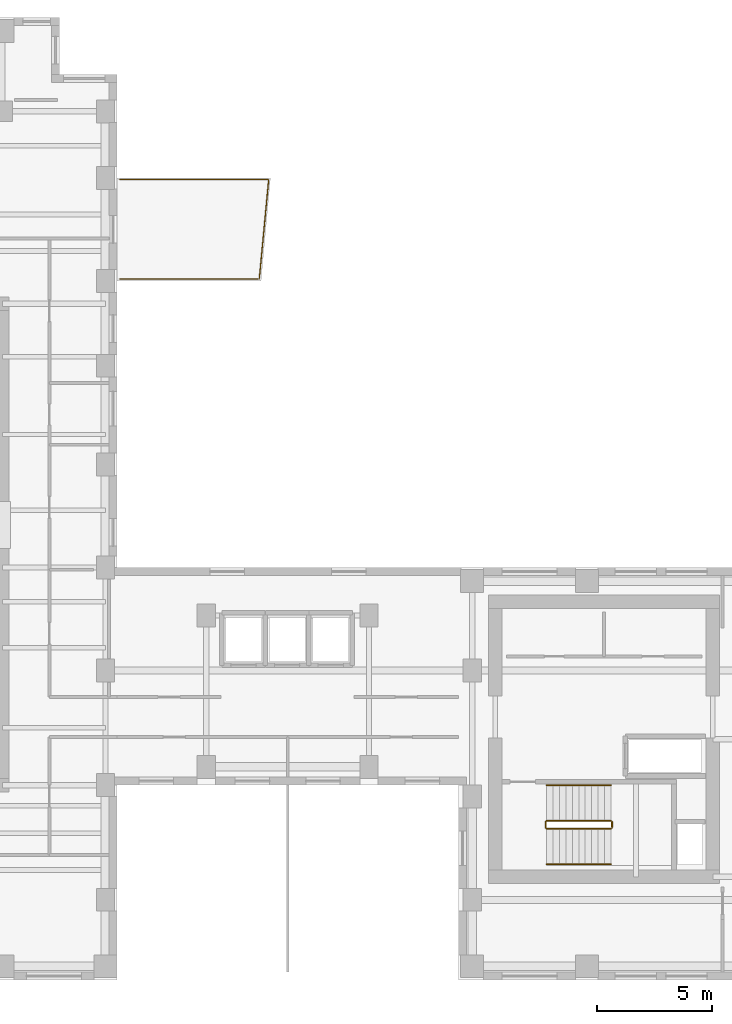
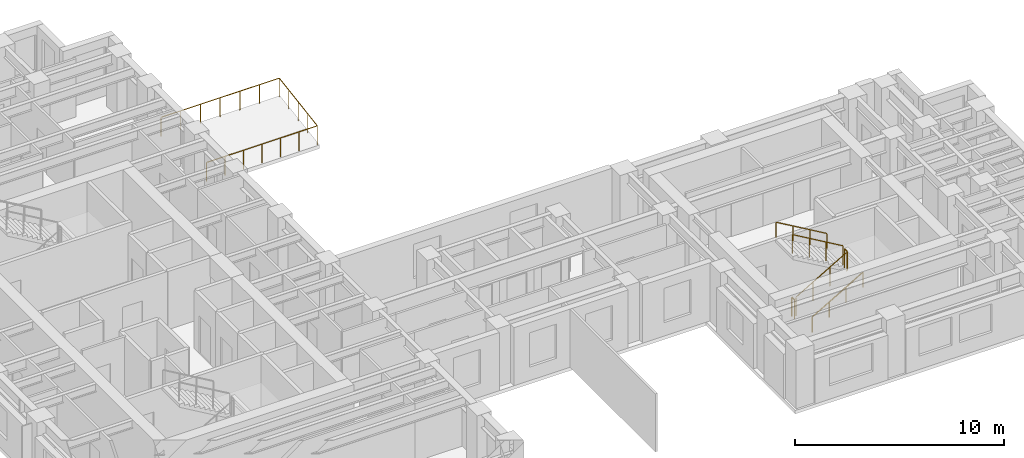
# One storey, part 11 of 11: 7 railings.
"""IFC4 building model written with IfcOpenShell, lengths in metres."""

from ifc_helpers import new_model, si_unit, direction, frame, origin, origin_2d, place, context, subcontext, project, spatial, circle, extrude, source, transform, mapped, material, layer, layer_set, type_object, element, save


model = new_model("IFC4")

# Units and contexts
model_context = context("Model", 3, precision=1e-05, world=origin(), true_north=direction((0.0, 1.0)))
body_context = subcontext(model_context, "Body", "Model", "MODEL_VIEW")
ifc_project = project(units=[si_unit("LENGTHUNIT", "METRE"), si_unit("AREAUNIT", "SQUARE_METRE"), si_unit("VOLUMEUNIT", "CUBIC_METRE"), si_unit("PLANEANGLEUNIT", "RADIAN"), si_unit("MASSUNIT", "GRAM", prefix="KILO")], contexts=[model_context])

# Site, building, storey
site_placement = place(None, origin())
site = spatial("IfcSite", under=ifc_project, at=site_placement, CompositionType="ELEMENT")
building_placement = place(site_placement, origin())
building = spatial("IfcBuilding", under=site, at=building_placement, Name="Kharzan Plaza Tower", CompositionType="ELEMENT")
storey_placement = place(building_placement, frame((0.0, 0.0, 171.89990234375)))
storey = spatial("IfcBuildingStorey", under=building, at=storey_placement, Name="L46", CompositionType="ELEMENT", Elevation=171.89990234375)

# Railings
ifc_material_1 = material(Name="Painted Galvanized Architectural Steel", Category="steel")
ifc_layer_1 = layer(ifc_material_1, 0.074951171875)
ifc_layer_set_1 = layer_set([ifc_layer_1], Name="Painted Galvanized Architectural Steel")
railing_type_1 = type_object("IfcRailingType", Name="RL-GUARD-1120", PredefinedType="BALUSTRADE", material=ifc_layer_set_1)
shared_shape_1 = source(origin(), body_context, "Body", "SweptSolid", [
    extrude(circle(Radius=0.02392578125, at=origin_2d()), frame((0.0, 0.0263671875, 1.09619140625), z_axis=(0.0, 1.0, 0.0), x_axis=(-1.0, 0.0, 0.0)), (0.0, 0.0, 1.0), 0.197021484375),
    extrude(circle(Radius=0.02099609375, at=origin_2d()), origin(), (0.0, 0.0, 1.0), 1.072021484375),
    extrude(circle(Radius=0.02099609375, at=origin_2d()), frame((0.0, 0.25, 0.0)), (0.0, 0.0, 1.0), 1.072021484375),
])
for number, where, name in (
    (1, (41.10009765625, 6.64990234375, 1.800048828125), "L46 ST-3 stair guard 2"),
    (2, (38.199951171875, 6.64990234375, 0.0), "L46 ST-3 stair guard 4"),
):
    element("IfcRailing", number, at=place(storey_placement, frame(where)), inside=storey, type_object=railing_type_1, Name=name, PredefinedType="BALUSTRADE", context=body_context, shape_type="MappedRepresentation", body=[
        mapped(shared_shape_1, transform((0.0, 0.0, 0.0), x_axis=(1.0, 0.0, 0.0), y_axis=(0.0, 1.0, 0.0), z_axis=(0.0, 0.0, 1.0))),
    ])
shared_shape_2 = source(origin(), body_context, "Body", "SweptSolid", [
    extrude(circle(Radius=0.02392578125, at=origin_2d()), frame((-0.02294921875, 0.0, 1.109375), z_axis=(-0.863360870873, 0.0, 0.504586966384), x_axis=(0.0, -1.0, 0.0)), (0.0, 0.0, 1.0), 3.190185546875),
    extrude(circle(Radius=0.02099609375, at=origin_2d()), origin(), (0.0, 0.0, 1.0), 1.072021484375),
    extrude(circle(Radius=0.02099609375, at=origin_2d()), frame((-0.933349609375, 0.0, 0.54541015625)), (0.0, 0.0, 1.0), 1.072021484375),
    extrude(circle(Radius=0.02099609375, at=origin_2d()), frame((-1.86669921875, 0.0, 1.091064453125)), (0.0, 0.0, 1.0), 1.072021484375),
    extrude(circle(Radius=0.02099609375, at=origin_2d()), frame((-2.800048828125, 0.0, 1.636474609375)), (0.0, 0.0, 1.0), 1.072021484375),
])
railing_1_placement = place(storey_placement, frame((41.050048828125, 6.949951171875, 1.963623046875)))
element("IfcRailing", 3, at=railing_1_placement, inside=storey, type_object=railing_type_1, Name="L46 ST-3 stair guard 3", PredefinedType="BALUSTRADE", context=body_context, shape_type="MappedRepresentation", body=[
    mapped(shared_shape_2, transform((0.0, 0.0, 0.0), x_axis=(1.0, 0.0, 0.0), y_axis=(0.0, 1.0, 0.0), z_axis=(0.0, 0.0, 1.0))),
])
ifc_material_2 = material(Name="Brushed Stainless Steel", Category="steel")
ifc_layer_2 = layer(ifc_material_2, 0.050048828125)
ifc_layer_set_2 = layer_set([ifc_layer_2], Name="Brushed Stainless Steel")
railing_type_2 = type_object("IfcRailingType", Name="RL-STAIR-HR920", PredefinedType="HANDRAIL", material=ifc_layer_set_2)
shared_shape_3 = source(origin(), body_context, "Body", "SweptSolid", [
    extrude(circle(Radius=0.02392578125, at=origin_2d()), frame((-0.02294921875, 0.0, 0.88916015625), z_axis=(-0.863360870873, 0.0, 0.504586966384), x_axis=(0.0, -1.0, 0.0)), (0.0, 0.0, 1.0), 3.190185546875),
    extrude(circle(Radius=0.02099609375, at=origin_2d()), origin(), (0.0, 0.0, 1.0), 0.851806640625),
    extrude(circle(Radius=0.02099609375, at=origin_2d()), frame((-0.933349609375, 0.0, 0.54541015625)), (0.0, 0.0, 1.0), 0.851806640625),
    extrude(circle(Radius=0.02099609375, at=origin_2d()), frame((-1.86669921875, 0.0, 1.091064453125)), (0.0, 0.0, 1.0), 0.851806640625),
    extrude(circle(Radius=0.02099609375, at=origin_2d()), frame((-2.800048828125, 0.0, 1.636474609375)), (0.0, 0.0, 1.0), 0.851806640625),
])
railing_2_placement = place(storey_placement, frame((41.050048828125, 8.5, 1.963623046875)))
element("IfcRailing", 4, at=railing_2_placement, inside=storey, type_object=railing_type_2, Name="L46 ST-3 stair handrail 2", PredefinedType="HANDRAIL", context=body_context, shape_type="MappedRepresentation", body=[
    mapped(shared_shape_3, transform((0.0, 0.0, 0.0), x_axis=(1.0, 0.0, 0.0), y_axis=(0.0, 1.0, 0.0), z_axis=(0.0, 0.0, 1.0))),
])
shared_shape_4 = source(origin(), body_context, "Body", "SweptSolid", [
    extrude(circle(Radius=0.02392578125, at=origin_2d()), frame((0.0263671875, 0.0, 1.09619140625), z_axis=(1.0, 0.0, 0.0), x_axis=(0.0, 1.0, 0.0)), (0.0, 0.0, 1.0), 6.056884765625),
    extrude(circle(Radius=0.02392578125, at=origin_2d()), frame((6.1123046875, 0.0263671875, 1.09619140625), z_axis=(0.094090176669, 0.995563678855, 0.0), x_axis=(-0.995563678855, 0.094090176669, 0.0)), (0.0, 0.0, 1.0), 4.306396484375),
    extrude(circle(Radius=0.02392578125, at=origin_2d()), frame((6.49365234375, 4.33984375, 1.09619140625), z_axis=(-1.0, 0.0, 0.0), x_axis=(0.0, -1.0, 0.0)), (0.0, 0.0, 1.0), 6.467041015625),
    extrude(circle(Radius=0.02099609375, at=origin_2d()), origin(), (0.0, 0.0, 1.0), 1.072021484375),
    extrude(circle(Radius=0.02099609375, at=origin_2d()), frame((1.018310546875, 0.0, 0.0)), (0.0, 0.0, 1.0), 1.072021484375),
    extrude(circle(Radius=0.02099609375, at=origin_2d()), frame((2.03662109375, 0.0, 0.0)), (0.0, 0.0, 1.0), 1.072021484375),
    extrude(circle(Radius=0.02099609375, at=origin_2d()), frame((3.054931640625, 0.0, 0.0)), (0.0, 0.0, 1.0), 1.072021484375),
    extrude(circle(Radius=0.02099609375, at=origin_2d()), frame((4.0732421875, 0.0, 0.0)), (0.0, 0.0, 1.0), 1.072021484375),
    extrude(circle(Radius=0.02099609375, at=origin_2d()), frame((5.091552734375, 0.0, 0.0)), (0.0, 0.0, 1.0), 1.072021484375),
    extrude(circle(Radius=0.02099609375, at=origin_2d()), frame((6.10986328125, 0.0, 0.0)), (0.0, 0.0, 1.0), 1.072021484375),
    extrude(circle(Radius=0.02099609375, at=origin_2d()), frame((6.21240234375, 1.0849609375, 0.0)), (0.0, 0.0, 1.0), 1.072021484375),
    extrude(circle(Radius=0.02099609375, at=origin_2d()), frame((6.31494140625, 2.169921875, 0.0)), (0.0, 0.0, 1.0), 1.072021484375),
    extrude(circle(Radius=0.02099609375, at=origin_2d()), frame((6.41748046875, 3.2548828125, 0.0)), (0.0, 0.0, 1.0), 1.072021484375),
    extrude(circle(Radius=0.02099609375, at=origin_2d()), frame((6.52001953125, 4.33984375, 0.0)), (0.0, 0.0, 1.0), 1.072021484375),
    extrude(circle(Radius=0.02099609375, at=origin_2d()), frame((5.433349609375, 4.33984375, 0.0)), (0.0, 0.0, 1.0), 1.072021484375),
    extrude(circle(Radius=0.02099609375, at=origin_2d()), frame((4.3466796875, 4.33984375, 0.0)), (0.0, 0.0, 1.0), 1.072021484375),
    extrude(circle(Radius=0.02099609375, at=origin_2d()), frame((3.260009765625, 4.33984375, 0.0)), (0.0, 0.0, 1.0), 1.072021484375),
    extrude(circle(Radius=0.02099609375, at=origin_2d()), frame((2.17333984375, 4.33984375, 0.0)), (0.0, 0.0, 1.0), 1.072021484375),
    extrude(circle(Radius=0.02099609375, at=origin_2d()), frame((1.086669921875, 4.33984375, 0.0)), (0.0, 0.0, 1.0), 1.072021484375),
    extrude(circle(Radius=0.02099609375, at=origin_2d()), frame((0.0, 4.33984375, 0.0)), (0.0, 0.0, 1.0), 1.072021484375),
])
railing_3_placement = place(storey_placement, frame((19.60009765625, 30.580078125, 0.0)))
element("IfcRailing", 5, at=railing_3_placement, inside=storey, type_object=railing_type_1, Name="L46 Cantilevered Sky-Terrace Tray Balustrade", PredefinedType="BALUSTRADE", context=body_context, shape_type="MappedRepresentation", body=[
    mapped(shared_shape_4, transform((0.0, 0.0, 0.0), x_axis=(1.0, 0.0, 0.0), y_axis=(0.0, 1.0, 0.0), z_axis=(0.0, 0.0, 1.0))),
])
shared_shape_5 = source(origin(), body_context, "Body", "SweptSolid", [
    extrude(circle(Radius=0.02392578125, at=origin_2d()), frame((0.02294921875, 0.0, 1.109375), z_axis=(0.863393664356, 0.0, 0.504530851732), x_axis=(0.0, 1.0, 0.0)), (0.0, 0.0, 1.0), 3.190185546875),
    extrude(circle(Radius=0.02099609375, at=origin_2d()), origin(), (0.0, 0.0, 1.0), 1.072021484375),
    extrude(circle(Radius=0.02099609375, at=origin_2d()), frame((0.933349609375, 0.0, 0.54541015625)), (0.0, 0.0, 1.0), 1.072021484375),
    extrude(circle(Radius=0.02099609375, at=origin_2d()), frame((1.86669921875, 0.0, 1.0908203125)), (0.0, 0.0, 1.0), 1.072021484375),
    extrude(circle(Radius=0.02099609375, at=origin_2d()), frame((2.800048828125, 0.0, 1.63623046875)), (0.0, 0.0, 1.0), 1.072021484375),
])
railing_4_placement = place(storey_placement, frame((38.25, 6.60009765625, 0.163818359375)))
element("IfcRailing", 6, at=railing_4_placement, inside=storey, type_object=railing_type_1, Name="L46 ST-3 stair guard 1", PredefinedType="BALUSTRADE", context=body_context, shape_type="MappedRepresentation", body=[
    mapped(shared_shape_5, transform((0.0, 0.0, 0.0), x_axis=(1.0, 0.0, 0.0), y_axis=(0.0, 1.0, 0.0), z_axis=(0.0, 0.0, 1.0))),
])
shared_shape_6 = source(origin(), body_context, "Body", "SweptSolid", [
    extrude(circle(Radius=0.02392578125, at=origin_2d()), frame((0.02294921875, 0.0, 0.88916015625), z_axis=(0.863393664356, 0.0, 0.504530851732), x_axis=(0.0, 1.0, 0.0)), (0.0, 0.0, 1.0), 3.190185546875),
    extrude(circle(Radius=0.02099609375, at=origin_2d()), origin(), (0.0, 0.0, 1.0), 0.851806640625),
    extrude(circle(Radius=0.02099609375, at=origin_2d()), frame((0.933349609375, 0.0, 0.54541015625)), (0.0, 0.0, 1.0), 0.851806640625),
    extrude(circle(Radius=0.02099609375, at=origin_2d()), frame((1.86669921875, 0.0, 1.0908203125)), (0.0, 0.0, 1.0), 0.851806640625),
    extrude(circle(Radius=0.02099609375, at=origin_2d()), frame((2.800048828125, 0.0, 1.63623046875)), (0.0, 0.0, 1.0), 0.851806640625),
])
railing_5_placement = place(storey_placement, frame((38.25, 5.050048828125, 0.163818359375)))
element("IfcRailing", 7, at=railing_5_placement, inside=storey, type_object=railing_type_2, Name="L46 ST-3 stair handrail 1", PredefinedType="HANDRAIL", context=body_context, shape_type="MappedRepresentation", body=[
    mapped(shared_shape_6, transform((0.0, 0.0, 0.0), x_axis=(1.0, 0.0, 0.0), y_axis=(0.0, 1.0, 0.0), z_axis=(0.0, 0.0, 1.0))),
])

save(model, "model.ifc")
